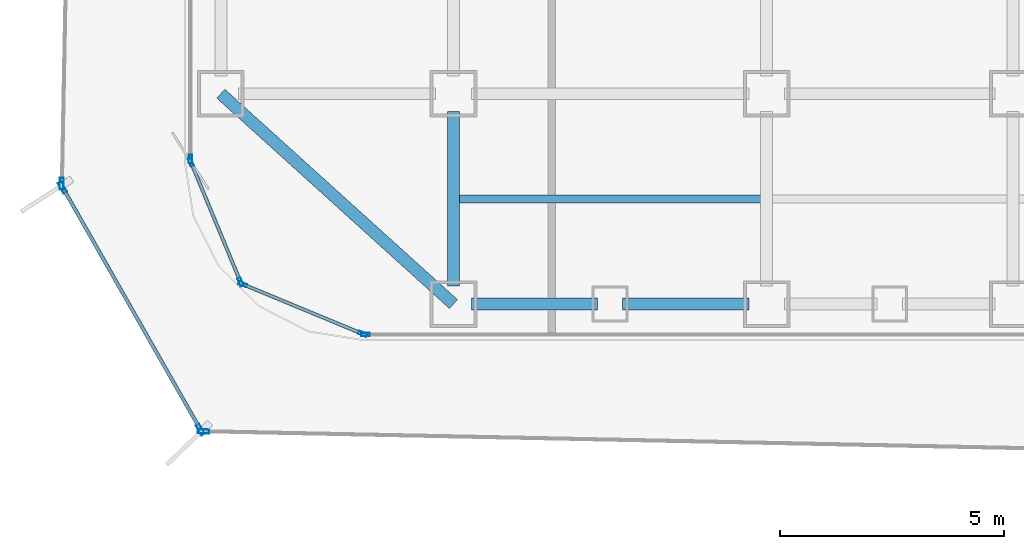
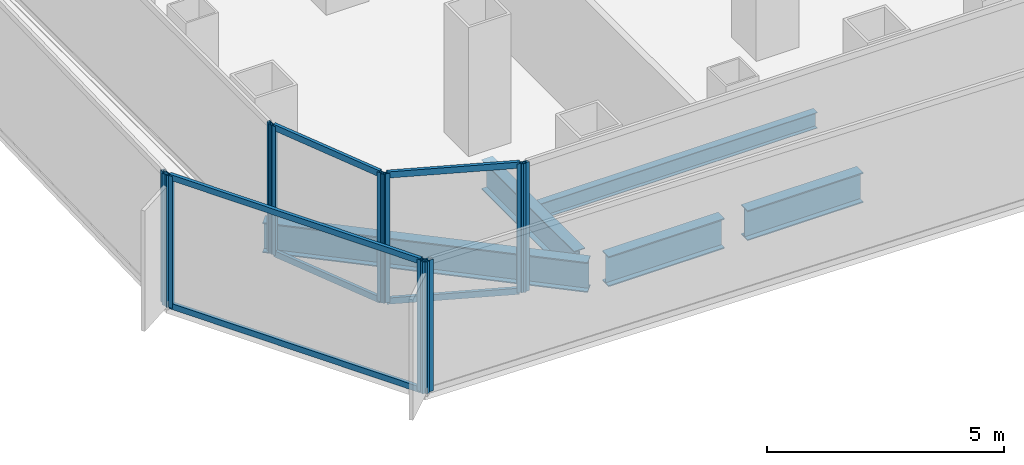
# One storey, part 2 of 21: 16 members, 5 beams, 7 elements without a shape of their own.
"""IFC4 building model written with IfcOpenShell, lengths in metres."""

from ifc_helpers import new_model, si_unit, direction, frame, origin, origin_2d, place, context, subcontext, project, spatial, hollow_rectangle, i_section, extrude, source, transform, mapped, material, layer, layer_set, material_profile, profile_set, type_object, element, aggregate, save


model = new_model("IFC4")

# Units and contexts
model_context = context("Model", 3, precision=1e-05, world=origin(), true_north=direction((0.0, 1.0)))
body_context = subcontext(model_context, "Body", "Model", "MODEL_VIEW")
ifc_project = project(units=[si_unit("LENGTHUNIT", "METRE"), si_unit("AREAUNIT", "SQUARE_METRE"), si_unit("VOLUMEUNIT", "CUBIC_METRE"), si_unit("PLANEANGLEUNIT", "RADIAN"), si_unit("MASSUNIT", "GRAM", prefix="KILO")], contexts=[model_context])

# Site, building, storey
site_placement = place(None, origin())
site = spatial("IfcSite", under=ifc_project, at=site_placement, CompositionType="ELEMENT")
building_placement = place(site_placement, origin())
building = spatial("IfcBuilding", under=site, at=building_placement, Name="Kolveth Station Tower", CompositionType="ELEMENT")
storey_placement = place(building_placement, frame((0.0, 0.0, 26.10009765625)))
storey = spatial("IfcBuildingStorey", under=building, at=storey_placement, Name="L06", CompositionType="ELEMENT", Elevation=26.10009765625)

# Beams
ifc_material_1 = material(Name="Steel S355", Category="steel")
ifc_material_profile_1 = material_profile(ifc_material_1, i_section(OverallWidth=0.26904296875, OverallDepth=0.77490234375, WebThickness=0.01708984375, FlangeThickness=0.0283203125, at=origin_2d()), Name="W760x220")
ifc_profile_set_1 = profile_set([ifc_material_profile_1], Name="Steel S355")
beam_type_1 = type_object("IfcBeamType", Name="Beam_SP1", PredefinedType="SPANDREL", material=ifc_profile_set_1)
shared_shape_1 = source(origin(), body_context, "Body", "SweptSolid", [
    extrude(i_section(OverallWidth=0.26904296875, OverallDepth=0.77490234375, WebThickness=0.01708984375, FlangeThickness=0.0283203125, at=origin_2d()), origin(), (0.0, 0.0, 1.0), 7.00927734375),
])
beam_1_placement = place(storey_placement, frame((0.800048828125, 5.5, -0.66748046875), z_axis=(0.741874009795, -0.670539300557, 0.0), x_axis=(0.670539300557, 0.741874009795, 0.0)))
element("IfcBeam", 1, at=beam_1_placement, inside=storey, type_object=beam_type_1, Name="L06 Corner Edge Girder BM-L06-CNR-SW", PredefinedType="SPANDREL", context=body_context, shape_type="MappedRepresentation", body=[
    mapped(shared_shape_1, transform((0.0, 0.0, 0.0), x_axis=(1.0, 0.0, 0.0), y_axis=(0.0, 1.0, 0.0), z_axis=(0.0, 0.0, 1.0), scale=1.0)),
])
shared_shape_2 = source(origin(), body_context, "Body", "SweptSolid", [
    extrude(i_section(OverallWidth=0.26904296875, OverallDepth=0.77490234375, WebThickness=0.01708984375, FlangeThickness=0.0283203125, at=origin_2d()), origin(), (0.0, 0.0, 1.0), 2.820068359375),
])
for number, where, z_axis, x_axis, name in (
    (2, (6.39990234375, 0.800048828125, -0.66748046875), (1.0, 0.0, 0.0), (0.0, 1.0, 0.0), "L06 Perimeter Spandrel BM-L06-PS-1"),
    (3, (9.780029296875, 0.800048828125, -0.66748046875), (1.0, 0.0, 0.0), (0.0, 1.0, 0.0), "L06 Perimeter Spandrel BM-L06-PS-2"),
):
    element("IfcBeam", number, at=place(storey_placement, frame(where, z_axis=z_axis, x_axis=x_axis)), inside=storey, type_object=beam_type_1, Name=name, PredefinedType="SPANDREL", context=body_context, shape_type="MappedRepresentation", body=[
        mapped(shared_shape_2, transform((0.0, 0.0, 0.0), x_axis=(1.0, 0.0, 0.0), y_axis=(0.0, 1.0, 0.0), z_axis=(0.0, 0.0, 1.0), scale=1.0)),
    ])
ifc_material_profile_2 = material_profile(ifc_material_1, i_section(OverallWidth=0.26708984375, OverallDepth=0.76611328125, WebThickness=0.014892578125, FlangeThickness=0.023681640625, at=origin_2d()), Name="W760x185")
ifc_profile_set_2 = profile_set([ifc_material_profile_2], Name="Steel S355")
beam_type_2 = type_object("IfcBeamType", Name="Beam_B3", PredefinedType="BEAM", material=ifc_profile_set_2)
shared_shape_3 = source(origin(), body_context, "Body", "SweptSolid", [
    extrude(i_section(OverallWidth=0.26708984375, OverallDepth=0.76611328125, WebThickness=0.014892578125, FlangeThickness=0.023681640625, at=origin_2d()), origin(), (0.0, 0.0, 1.0), 3.900146484375),
])
beam_2_placement = place(storey_placement, frame((6.0, 1.199951171875, -0.6630859375), z_axis=(0.0, 1.0, 0.0), x_axis=(-1.0, 0.0, 0.0)))
element("IfcBeam", 4, at=beam_2_placement, inside=storey, type_object=beam_type_2, Name="L06 Primary Girder BM-L06-GX60-1", PredefinedType="BEAM", context=body_context, shape_type="MappedRepresentation", body=[
    mapped(shared_shape_3, transform((0.0, 0.0, 0.0), x_axis=(1.0, 0.0, 0.0), y_axis=(0.0, 1.0, 0.0), z_axis=(0.0, 0.0, 1.0), scale=1.0)),
])
ifc_material_profile_3 = material_profile(ifc_material_1, i_section(OverallWidth=0.177978515625, OverallDepth=0.406982421875, WebThickness=0.0078125, FlangeThickness=0.0126953125, at=origin_2d()), Name="W410x60")
ifc_profile_set_3 = profile_set([ifc_material_profile_3], Name="Steel S355")
beam_type_3 = type_object("IfcBeamType", Name="Beam_J1", PredefinedType="JOIST", material=ifc_profile_set_3)
shared_shape_4 = source(origin(), body_context, "Body", "SweptSolid", [
    extrude(i_section(OverallWidth=0.177978515625, OverallDepth=0.406982421875, WebThickness=0.0078125, FlangeThickness=0.0126953125, at=origin_2d()), origin(), (0.0, 0.0, 1.0), 6.73681640625),
])
beam_3_placement = place(storey_placement, frame((6.131591796875, 3.14990234375, -0.483642578125), z_axis=(1.0, 0.0, 0.0), x_axis=(0.0, 1.0, 0.0)))
element("IfcBeam", 5, at=beam_3_placement, inside=storey, type_object=beam_type_3, Name="L06 Secondary Joist JST-L06-2-1", PredefinedType="JOIST", context=body_context, shape_type="MappedRepresentation", body=[
    mapped(shared_shape_4, transform((0.0, 0.0, 0.0), x_axis=(1.0, 0.0, 0.0), y_axis=(0.0, 1.0, 0.0), z_axis=(0.0, 0.0, 1.0), scale=1.0)),
])

# Curtain wall, members
ifc_material_2 = material(Name="Aluminium 6063-T6 and low-E dark glass", Category="aluminium")
ifc_layer_1 = layer(ifc_material_2, 0.179931640625)
ifc_layer_set_1 = layer_set([ifc_layer_1], Name="Aluminium 6063-T6 and low-E dark glass")
curtain_wall_type_1 = type_object("IfcCurtainWallType", Name="CurtainWall_CW-Z1", PredefinedType="NOTDEFINED", material=ifc_layer_set_1)
curtain_wall_1_placement = place(storey_placement, origin())
curtain_wall_1 = element("IfcCurtainWall", 6, at=curtain_wall_1_placement, inside=storey, type_object=curtain_wall_type_1, Name="L06 Inner Thermal Curtain Wall 10", PredefinedType="NOTDEFINED")
ifc_material_3 = material(Name="Black anodized aluminium 6063-T6", Category="aluminium")
ifc_material_profile_4 = material_profile(ifc_material_3, hollow_rectangle(XDim=0.074951171875, YDim=0.159912109375, WallThickness=0.0048828125, at=origin_2d()), Name="ALU-75x160x5")
ifc_profile_set_4 = profile_set([ifc_material_profile_4], Name="Black anodized aluminium 6063-T6")
member_type_1 = type_object("IfcMemberType", Name="Transom_TR1", PredefinedType="USERDEFINED", material=ifc_profile_set_4)
shared_shape_5 = source(origin(), body_context, "Body", "SweptSolid", [
    extrude(hollow_rectangle(XDim=0.074951171875, YDim=0.159912109375, WallThickness=0.0048828125, at=origin_2d()), origin(), (0.0, 0.0, 1.0), 2.819580078125),
])
member_1_placement = place(storey_placement, frame((0.148681640625, 3.9306640625, 0.037353515625), z_axis=(0.382708655389, -0.923869084389, 0.0), x_axis=(0.923869084389, 0.382708655389, 0.0)))
member_1 = element("IfcMember", 7, at=member_1_placement, type_object=member_type_1, Name="CW-Z1 transom 1.1", ObjectType="TRANSOM", PredefinedType="USERDEFINED", context=body_context, shape_type="MappedRepresentation", body=[
    mapped(shared_shape_5, transform((0.0, 0.0, 0.0), x_axis=(1.0, 0.0, 0.0), y_axis=(0.0, 1.0, 0.0), z_axis=(0.0, 0.0, 1.0), scale=1.0)),
])
member_2_placement = place(storey_placement, frame((0.148681640625, 3.9306640625, 3.282470703125), z_axis=(0.382708655389, -0.923869084389, 0.0), x_axis=(0.923869084389, 0.382708655389, 0.0)))
member_2 = element("IfcMember", 8, at=member_2_placement, type_object=member_type_1, Name="CW-Z1 transom 1.2", ObjectType="TRANSOM", PredefinedType="USERDEFINED", context=body_context, shape_type="MappedRepresentation", body=[
    mapped(shared_shape_5, transform((0.0, 0.0, 0.0), x_axis=(1.0, 0.0, 0.0), y_axis=(0.0, 1.0, 0.0), z_axis=(0.0, 0.0, 1.0), scale=1.0)),
])

curtain_wall_2_placement = place(storey_placement, origin())
curtain_wall_2 = element("IfcCurtainWall", 9, at=curtain_wall_2_placement, inside=storey, type_object=curtain_wall_type_1, Name="L06 Inner Thermal Curtain Wall 11", PredefinedType="NOTDEFINED")
member_3_placement = place(storey_placement, frame((1.32568359375, 1.227783203125, 0.037353515625), z_axis=(0.923869084389, -0.382708655389, 0.0), x_axis=(0.382708655389, 0.923869084389, 0.0)))
member_3 = element("IfcMember", 10, at=member_3_placement, type_object=member_type_1, Name="CW-Z1 transom 1.1", ObjectType="TRANSOM", PredefinedType="USERDEFINED", context=body_context, shape_type="MappedRepresentation", body=[
    mapped(shared_shape_5, transform((0.0, 0.0, 0.0), x_axis=(1.0, 0.0, 0.0), y_axis=(0.0, 1.0, 0.0), z_axis=(0.0, 0.0, 1.0), scale=1.0)),
])
member_4_placement = place(storey_placement, frame((1.32568359375, 1.227783203125, 3.282470703125), z_axis=(0.923869084389, -0.382708655389, 0.0), x_axis=(0.382708655389, 0.923869084389, 0.0)))
member_4 = element("IfcMember", 11, at=member_4_placement, type_object=member_type_1, Name="CW-Z1 transom 1.2", ObjectType="TRANSOM", PredefinedType="USERDEFINED", context=body_context, shape_type="MappedRepresentation", body=[
    mapped(shared_shape_5, transform((0.0, 0.0, 0.0), x_axis=(1.0, 0.0, 0.0), y_axis=(0.0, 1.0, 0.0), z_axis=(0.0, 0.0, 1.0), scale=1.0)),
])

# Curtain wall, member
ifc_material_4 = material(Name="Black anodized aluminium 6063-T6 and dark solar glass", Category="aluminium")
ifc_layer_2 = layer(ifc_material_4, 0.159912109375)
ifc_layer_set_2 = layer_set([ifc_layer_2], Name="Black anodized aluminium 6063-T6 and dark solar glass")
curtain_wall_type_2 = type_object("IfcCurtainWallType", Name="OUTER SKIN CW-OS", PredefinedType="NOTDEFINED", material=ifc_layer_set_2)
curtain_wall_3_placement = place(storey_placement, origin())
curtain_wall_3 = element("IfcCurtainWall", 12, at=curtain_wall_3_placement, inside=storey, type_object=curtain_wall_type_2, Name="L06 Outer Ventilated Skin Curtain Wall 6", PredefinedType="NOTDEFINED")
ifc_material_profile_5 = material_profile(ifc_material_3, hollow_rectangle(XDim=0.090087890625, YDim=0.260009765625, WallThickness=0.0048828125, at=origin_2d()), Name="ALU-90x260x5")
ifc_profile_set_5 = profile_set([ifc_material_profile_5], Name="Black anodized aluminium 6063-T6")
member_type_2 = type_object("IfcMemberType", Name="FIN MULLION ML-OS", PredefinedType="MULLION", material=ifc_profile_set_5)
shared_shape_6 = source(origin(), body_context, "Body", "SweptSolid", [
    extrude(hollow_rectangle(XDim=0.090087890625, YDim=0.260009765625, WallThickness=0.0048828125, at=origin_2d()), origin(), (0.0, 0.0, 1.0), 3.389892578125),
])
member_5_placement = place(storey_placement, frame((-2.7568359375, 3.4892578125, 0.0), z_axis=(0.0, 0.0, 1.0), x_axis=(0.999816811582, -0.019140096078, 0.0)))
member_5 = element("IfcMember", 13, at=member_5_placement, type_object=member_type_2, Name="CW-OS mullion 2", PredefinedType="MULLION", context=body_context, shape_type="MappedRepresentation", body=[
    mapped(shared_shape_6, transform((0.0, 0.0, 0.0), x_axis=(1.0, 0.0, 0.0), y_axis=(0.0, 1.0, 0.0), z_axis=(0.0, 0.0, 1.0), scale=1.0)),
])
aggregate(curtain_wall_3, [member_5])

# Curtain wall, members
curtain_wall_4_placement = place(storey_placement, origin())
curtain_wall_4 = element("IfcCurtainWall", 14, at=curtain_wall_4_placement, inside=storey, type_object=curtain_wall_type_2, Name="L06 Outer Ventilated Skin Curtain Wall 7", PredefinedType="NOTDEFINED")
member_6_placement = place(storey_placement, frame((-2.735595703125, 3.405029296875, 0.0), z_axis=(0.0, 0.0, 1.0), x_axis=(0.869136140823, 0.494572915468, 0.0)))
member_6 = element("IfcMember", 15, at=member_6_placement, type_object=member_type_2, Name="CW-OS mullion 1", PredefinedType="MULLION", context=body_context, shape_type="MappedRepresentation", body=[
    mapped(shared_shape_6, transform((0.0, 0.0, 0.0), x_axis=(1.0, 0.0, 0.0), y_axis=(0.0, 1.0, 0.0), z_axis=(0.0, 0.0, 1.0), scale=1.0)),
])
member_7_placement = place(storey_placement, frame((0.34375, -2.00634765625, 0.0), z_axis=(0.0, 0.0, 1.0), x_axis=(0.869136140823, 0.494572915468, 0.0)))
member_7 = element("IfcMember", 16, at=member_7_placement, type_object=member_type_2, Name="CW-OS mullion 2", PredefinedType="MULLION", context=body_context, shape_type="MappedRepresentation", body=[
    mapped(shared_shape_6, transform((0.0, 0.0, 0.0), x_axis=(1.0, 0.0, 0.0), y_axis=(0.0, 1.0, 0.0), z_axis=(0.0, 0.0, 1.0), scale=1.0)),
])

# Curtain wall, member
curtain_wall_5_placement = place(storey_placement, origin())
curtain_wall_5 = element("IfcCurtainWall", 17, at=curtain_wall_5_placement, inside=storey, type_object=curtain_wall_type_2, Name="L06 Outer Ventilated Skin Curtain Wall 8", PredefinedType="NOTDEFINED")
member_8_placement = place(storey_placement, frame((0.410888671875, -2.04638671875, 0.0), z_axis=(0.0, 0.0, 1.0), x_axis=(0.020609842001, 0.999787594648, 0.0)))
member_8 = element("IfcMember", 18, at=member_8_placement, type_object=member_type_2, Name="CW-OS mullion 1", PredefinedType="MULLION", context=body_context, shape_type="MappedRepresentation", body=[
    mapped(shared_shape_6, transform((0.0, 0.0, 0.0), x_axis=(1.0, 0.0, 0.0), y_axis=(0.0, 1.0, 0.0), z_axis=(0.0, 0.0, 1.0), scale=1.0)),
])
aggregate(curtain_wall_5, [member_8])

curtain_wall_6_placement = place(storey_placement, origin())
curtain_wall_6 = element("IfcCurtainWall", 19, at=curtain_wall_6_placement, inside=storey, type_object=curtain_wall_type_1, Name="L06 Inner Thermal Curtain Wall 9", PredefinedType="NOTDEFINED")
ifc_material_profile_6 = material_profile(ifc_material_3, hollow_rectangle(XDim=0.074951171875, YDim=0.18994140625, WallThickness=0.0048828125, at=origin_2d()), Name="ALU-75x190x5")
ifc_profile_set_6 = profile_set([ifc_material_profile_6], Name="Black anodized aluminium 6063-T6")
member_type_3 = type_object("IfcMemberType", Name="Mullion_ML1", PredefinedType="MULLION", material=ifc_profile_set_6)
shared_shape_7 = source(origin(), body_context, "Body", "SweptSolid", [
    extrude(hollow_rectangle(XDim=0.074951171875, YDim=0.18994140625, WallThickness=0.0048828125, at=origin_2d()), origin(), (0.0, 0.0, 1.0), 3.31982421875),
])
member_9_placement = place(storey_placement, frame((0.1201171875, 4.03759765625, 0.0), z_axis=(0.0, 0.0, 1.0), x_axis=(1.0, 0.0, 0.0)))
member_9 = element("IfcMember", 20, at=member_9_placement, type_object=member_type_3, Name="CW-Z1 mullion 2", PredefinedType="MULLION", context=body_context, shape_type="MappedRepresentation", body=[
    mapped(shared_shape_7, transform((0.0, 0.0, 0.0), x_axis=(1.0, 0.0, 0.0), y_axis=(0.0, 1.0, 0.0), z_axis=(0.0, 0.0, 1.0), scale=1.0)),
])
aggregate(curtain_wall_6, [member_9])

# Member
member_10_placement = place(storey_placement, frame((0.13427734375, 3.96533203125, 0.0), z_axis=(0.0, 0.0, 1.0), x_axis=(0.923883857728, 0.382672990201, 0.0)))
member_10 = element("IfcMember", 21, at=member_10_placement, type_object=member_type_3, Name="CW-Z1 mullion 1", PredefinedType="MULLION", context=body_context, shape_type="MappedRepresentation", body=[
    mapped(shared_shape_7, transform((0.0, 0.0, 0.0), x_axis=(1.0, 0.0, 0.0), y_axis=(0.0, 1.0, 0.0), z_axis=(0.0, 0.0, 1.0), scale=1.0)),
])

member_11_placement = place(storey_placement, frame((1.241943359375, 1.291015625, 0.0), z_axis=(0.0, 0.0, 1.0), x_axis=(0.923883857728, 0.382672990201, 0.0)))
member_11 = element("IfcMember", 22, at=member_11_placement, type_object=member_type_3, Name="CW-Z1 mullion 2", PredefinedType="MULLION", context=body_context, shape_type="MappedRepresentation", body=[
    mapped(shared_shape_7, transform((0.0, 0.0, 0.0), x_axis=(1.0, 0.0, 0.0), y_axis=(0.0, 1.0, 0.0), z_axis=(0.0, 0.0, 1.0), scale=1.0)),
])

aggregate(curtain_wall_1, [member_10, member_11, member_1, member_2])

member_12_placement = place(storey_placement, frame((1.291015625, 1.241943359375, 0.0), z_axis=(0.0, 0.0, 1.0), x_axis=(0.382672990201, 0.923883857728, 0.0)))
member_12 = element("IfcMember", 23, at=member_12_placement, type_object=member_type_3, Name="CW-Z1 mullion 1", PredefinedType="MULLION", context=body_context, shape_type="MappedRepresentation", body=[
    mapped(shared_shape_7, transform((0.0, 0.0, 0.0), x_axis=(1.0, 0.0, 0.0), y_axis=(0.0, 1.0, 0.0), z_axis=(0.0, 0.0, 1.0), scale=1.0)),
])

member_13_placement = place(storey_placement, frame((3.96533203125, 0.13427734375, 0.0), z_axis=(0.0, 0.0, 1.0), x_axis=(0.382672990201, 0.923883857728, 0.0)))
member_13 = element("IfcMember", 24, at=member_13_placement, type_object=member_type_3, Name="CW-Z1 mullion 2", PredefinedType="MULLION", context=body_context, shape_type="MappedRepresentation", body=[
    mapped(shared_shape_7, transform((0.0, 0.0, 0.0), x_axis=(1.0, 0.0, 0.0), y_axis=(0.0, 1.0, 0.0), z_axis=(0.0, 0.0, 1.0), scale=1.0)),
])

aggregate(curtain_wall_2, [member_12, member_13, member_3, member_4])

# Curtain wall, member
curtain_wall_7_placement = place(storey_placement, origin())
curtain_wall_7 = element("IfcCurtainWall", 25, at=curtain_wall_7_placement, inside=storey, type_object=curtain_wall_type_1, Name="L06 Inner Thermal Curtain Wall 12", PredefinedType="NOTDEFINED")
member_14_placement = place(storey_placement, frame((4.03759765625, 0.1201171875, 0.0), z_axis=(0.0, 0.0, 1.0), x_axis=(0.0, 1.0, 0.0)))
member_14 = element("IfcMember", 26, at=member_14_placement, type_object=member_type_3, Name="CW-Z1 mullion 1", PredefinedType="MULLION", context=body_context, shape_type="MappedRepresentation", body=[
    mapped(shared_shape_7, transform((0.0, 0.0, 0.0), x_axis=(1.0, 0.0, 0.0), y_axis=(0.0, 1.0, 0.0), z_axis=(0.0, 0.0, 1.0), scale=1.0)),
])
aggregate(curtain_wall_7, [member_14])

# Member
ifc_material_profile_7 = material_profile(ifc_material_3, hollow_rectangle(XDim=0.080078125, YDim=0.14990234375, WallThickness=0.0048828125, at=origin_2d()), Name="ALU-80x150x5")
ifc_profile_set_7 = profile_set([ifc_material_profile_7], Name="Black anodized aluminium 6063-T6")
member_type_4 = type_object("IfcMemberType", Name="Transom_TR-OS", PredefinedType="USERDEFINED", material=ifc_profile_set_7)
shared_shape_8 = source(origin(), body_context, "Body", "SweptSolid", [
    extrude(hollow_rectangle(XDim=0.080078125, YDim=0.14990234375, WallThickness=0.0048828125, at=origin_2d()), origin(), (0.0, 0.0, 1.0), 6.13623046875),
])
member_15_placement = place(storey_placement, frame((-2.71337890625, 3.365966796875, 0.039794921875), z_axis=(0.494582806194, -0.869130512534, 0.0), x_axis=(0.869130512534, 0.494582806194, 0.0)))
member_15 = element("IfcMember", 27, at=member_15_placement, type_object=member_type_4, Name="CW-OS transom 1.1", ObjectType="TRANSOM", PredefinedType="USERDEFINED", context=body_context, shape_type="MappedRepresentation", body=[
    mapped(shared_shape_8, transform((0.0, 0.0, 0.0), x_axis=(1.0, 0.0, 0.0), y_axis=(0.0, 1.0, 0.0), z_axis=(0.0, 0.0, 1.0), scale=1.0)),
])

member_16_placement = place(storey_placement, frame((-2.71337890625, 3.365966796875, 3.349853515625), z_axis=(0.494582806194, -0.869130512534, 0.0), x_axis=(0.869130512534, 0.494582806194, 0.0)))
member_16 = element("IfcMember", 28, at=member_16_placement, type_object=member_type_4, Name="CW-OS transom 1.2", ObjectType="TRANSOM", PredefinedType="USERDEFINED", context=body_context, shape_type="MappedRepresentation", body=[
    mapped(shared_shape_8, transform((0.0, 0.0, 0.0), x_axis=(1.0, 0.0, 0.0), y_axis=(0.0, 1.0, 0.0), z_axis=(0.0, 0.0, 1.0), scale=1.0)),
])

aggregate(curtain_wall_4, [member_6, member_7, member_15, member_16])

save(model, "model.ifc")
